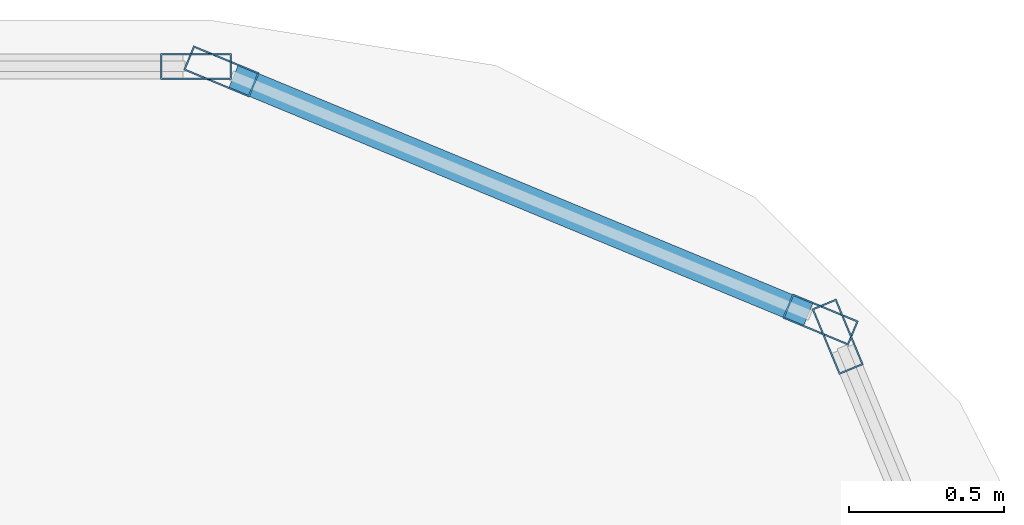
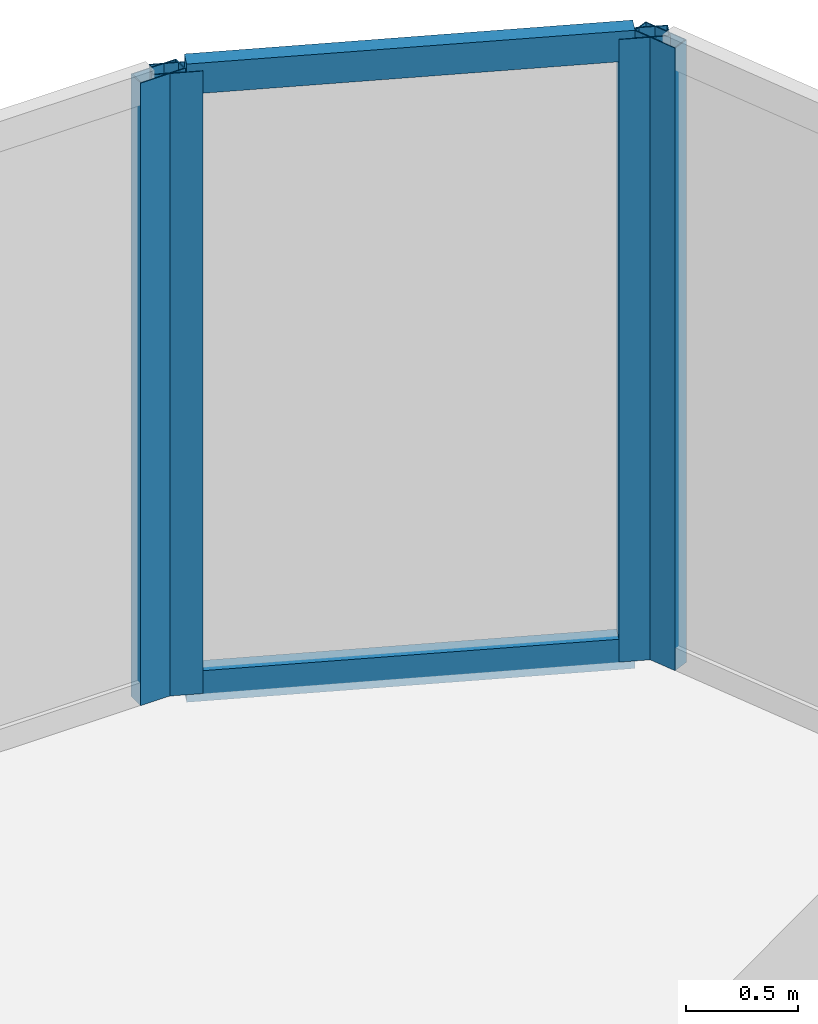
# One storey, part 11 of 15: 6 members, 3 elements without a shape of their own.
"""IFC4 building model written with IfcOpenShell, lengths in metres."""

from ifc_helpers import new_model, si_unit, direction, frame, origin, origin_2d, place, context, subcontext, project, spatial, hollow_rectangle, extrude, source, transform, mapped, material, layer, layer_set, material_profile, profile_set, type_object, element, aggregate, save


model = new_model("IFC4")

# Units and contexts
model_context = context("Model", 3, precision=1e-05, world=origin(), true_north=direction((0.0, 1.0)))
body_context = subcontext(model_context, "Body", "Model", "MODEL_VIEW")
ifc_project = project(units=[si_unit("LENGTHUNIT", "METRE"), si_unit("AREAUNIT", "SQUARE_METRE"), si_unit("VOLUMEUNIT", "CUBIC_METRE"), si_unit("PLANEANGLEUNIT", "RADIAN"), si_unit("MASSUNIT", "GRAM", prefix="KILO")], contexts=[model_context])

# Site, building, storey
site_placement = place(None, origin())
site = spatial("IfcSite", under=ifc_project, at=site_placement, CompositionType="ELEMENT")
building_placement = place(site_placement, origin())
building = spatial("IfcBuilding", under=site, at=building_placement, Name="Kolveth Station Tower", CompositionType="ELEMENT")
storey_placement = place(building_placement, frame((0.0, 0.0, 271.300048828125)))
storey = spatial("IfcBuildingStorey", under=building, at=storey_placement, Name="L78", CompositionType="ELEMENT", Elevation=271.300048828125)

# Curtain wall, member
ifc_material_1 = material(Name="Black anodized aluminium 6063-T6 and dark crown glass", Category="aluminium")
ifc_layer = layer(ifc_material_1, 0.169921875)
ifc_layer_set = layer_set([ifc_layer], Name="Black anodized aluminium 6063-T6 and dark crown glass")
curtain_wall_type = type_object("IfcCurtainWallType", Name="CurtainWall_CW-CR", PredefinedType="NOTDEFINED", material=ifc_layer_set)
curtain_wall_1_placement = place(storey_placement, origin())
curtain_wall_1 = element("IfcCurtainWall", 1, at=curtain_wall_1_placement, inside=storey, type_object=curtain_wall_type, Name="L78 Stepped Crown Curtain Wall 4", PredefinedType="NOTDEFINED")
ifc_material_2 = material(Name="Black anodized aluminium 6063-T6", Category="aluminium")
ifc_material_profile_1 = material_profile(ifc_material_2, hollow_rectangle(XDim=0.0849609375, YDim=0.22998046875, WallThickness=0.0048828125, at=origin_2d()), Name="ALU-85x230x5")
ifc_profile_set_1 = profile_set([ifc_material_profile_1], Name="Black anodized aluminium 6063-T6")
member_type_1 = type_object("IfcMemberType", Name="Mullion_ML-CR", PredefinedType="MULLION", material=ifc_profile_set_1)
shared_shape_1 = source(origin(), body_context, "Body", "SweptSolid", [
    extrude(hollow_rectangle(XDim=0.0849609375, YDim=0.22998046875, WallThickness=0.0048828125, at=origin_2d()), origin(), (0.0, 0.0, 1.0), 3.3798828125),
])
member_1_placement = place(storey_placement, frame((40.83154296875, 34.276123046875, 0.0), z_axis=(0.0, 0.0, 1.0), x_axis=(-0.923890001426, -0.382658157192, 0.0)))
member_1 = element("IfcMember", 2, at=member_1_placement, type_object=member_type_1, Name="CW-CR mullion 2", PredefinedType="MULLION", context=body_context, shape_type="MappedRepresentation", body=[
    mapped(shared_shape_1, transform((0.0, 0.0, 0.0), x_axis=(1.0, 0.0, 0.0), y_axis=(0.0, 1.0, 0.0), z_axis=(0.0, 0.0, 1.0), scale=1.0)),
])
aggregate(curtain_wall_1, [member_1])

# Curtain wall, members
curtain_wall_2_placement = place(storey_placement, origin())
curtain_wall_2 = element("IfcCurtainWall", 3, at=curtain_wall_2_placement, inside=storey, type_object=curtain_wall_type, Name="L78 Stepped Crown Curtain Wall 5", PredefinedType="NOTDEFINED")
member_2_placement = place(storey_placement, frame((40.776123046875, 34.33154296875, 0.0), z_axis=(0.0, 0.0, 1.0), x_axis=(-0.382658157192, -0.923890001426, 0.0)))
member_2 = element("IfcMember", 4, at=member_2_placement, type_object=member_type_1, Name="CW-CR mullion 1", PredefinedType="MULLION", context=body_context, shape_type="MappedRepresentation", body=[
    mapped(shared_shape_1, transform((0.0, 0.0, 0.0), x_axis=(1.0, 0.0, 0.0), y_axis=(0.0, 1.0, 0.0), z_axis=(0.0, 0.0, 1.0), scale=1.0)),
])
member_3_placement = place(storey_placement, frame((38.83935546875, 35.1337890625, 0.0), z_axis=(0.0, 0.0, 1.0), x_axis=(-0.382658157192, -0.923890001426, 0.0)))
member_3 = element("IfcMember", 5, at=member_3_placement, type_object=member_type_1, Name="CW-CR mullion 2", PredefinedType="MULLION", context=body_context, shape_type="MappedRepresentation", body=[
    mapped(shared_shape_1, transform((0.0, 0.0, 0.0), x_axis=(1.0, 0.0, 0.0), y_axis=(0.0, 1.0, 0.0), z_axis=(0.0, 0.0, 1.0), scale=1.0)),
])

# Curtain wall, member
curtain_wall_3_placement = place(storey_placement, origin())
curtain_wall_3 = element("IfcCurtainWall", 6, at=curtain_wall_3_placement, inside=storey, type_object=curtain_wall_type, Name="L78 Stepped Crown Curtain Wall 6", PredefinedType="NOTDEFINED")
member_4_placement = place(storey_placement, frame((38.757568359375, 35.14990234375, 0.0), z_axis=(0.0, 0.0, 1.0), x_axis=(0.0, -1.0, 0.0)))
member_4 = element("IfcMember", 7, at=member_4_placement, type_object=member_type_1, Name="CW-CR mullion 1", PredefinedType="MULLION", context=body_context, shape_type="MappedRepresentation", body=[
    mapped(shared_shape_1, transform((0.0, 0.0, 0.0), x_axis=(1.0, 0.0, 0.0), y_axis=(0.0, 1.0, 0.0), z_axis=(0.0, 0.0, 1.0), scale=1.0)),
])
aggregate(curtain_wall_3, [member_4])

# Member
ifc_material_profile_2 = material_profile(ifc_material_2, hollow_rectangle(XDim=0.080078125, YDim=0.1650390625, WallThickness=0.0048828125, at=origin_2d()), Name="ALU-80x165x5")
ifc_profile_set_2 = profile_set([ifc_material_profile_2], Name="Black anodized aluminium 6063-T6")
member_type_2 = type_object("IfcMemberType", Name="Transom_TR-CR", PredefinedType="USERDEFINED", material=ifc_profile_set_2)
shared_shape_2 = source(origin(), body_context, "Body", "SweptSolid", [
    extrude(hollow_rectangle(XDim=0.080078125, YDim=0.1650390625, WallThickness=0.0048828125, at=origin_2d()), origin(), (0.0, 0.0, 1.0), 2.011474609375),
])
member_5_placement = place(storey_placement, frame((40.73681640625, 34.347900390625, 0.0400390625), z_axis=(-0.92392216698, 0.382580487431, 0.0), x_axis=(-0.382580487431, -0.92392216698, 0.0)))
member_5 = element("IfcMember", 8, at=member_5_placement, type_object=member_type_2, Name="CW-CR transom 1.1", ObjectType="TRANSOM", PredefinedType="USERDEFINED", context=body_context, shape_type="MappedRepresentation", body=[
    mapped(shared_shape_2, transform((0.0, 0.0, 0.0), x_axis=(1.0, 0.0, 0.0), y_axis=(0.0, 1.0, 0.0), z_axis=(0.0, 0.0, 1.0), scale=1.0)),
])

member_6_placement = place(storey_placement, frame((40.73681640625, 34.347900390625, 3.33984375), z_axis=(-0.92392216698, 0.382580487431, 0.0), x_axis=(-0.382580487431, -0.92392216698, 0.0)))
member_6 = element("IfcMember", 9, at=member_6_placement, type_object=member_type_2, Name="CW-CR transom 1.2", ObjectType="TRANSOM", PredefinedType="USERDEFINED", context=body_context, shape_type="MappedRepresentation", body=[
    mapped(shared_shape_2, transform((0.0, 0.0, 0.0), x_axis=(1.0, 0.0, 0.0), y_axis=(0.0, 1.0, 0.0), z_axis=(0.0, 0.0, 1.0), scale=1.0)),
])

aggregate(curtain_wall_2, [member_2, member_3, member_5, member_6])

save(model, "model.ifc")
